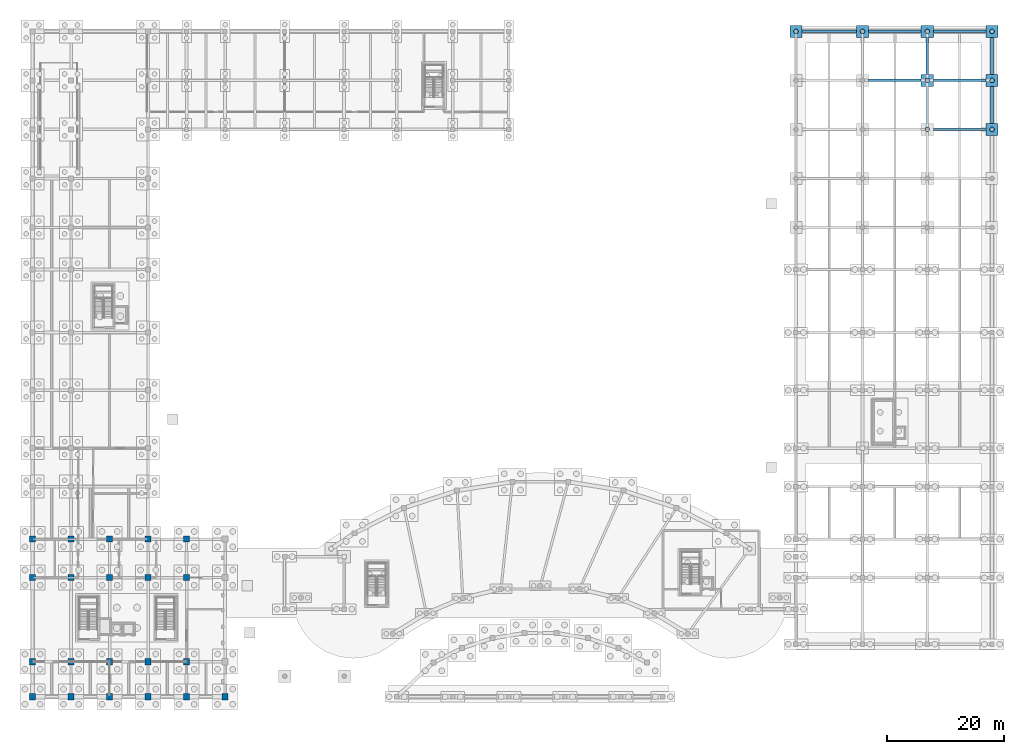
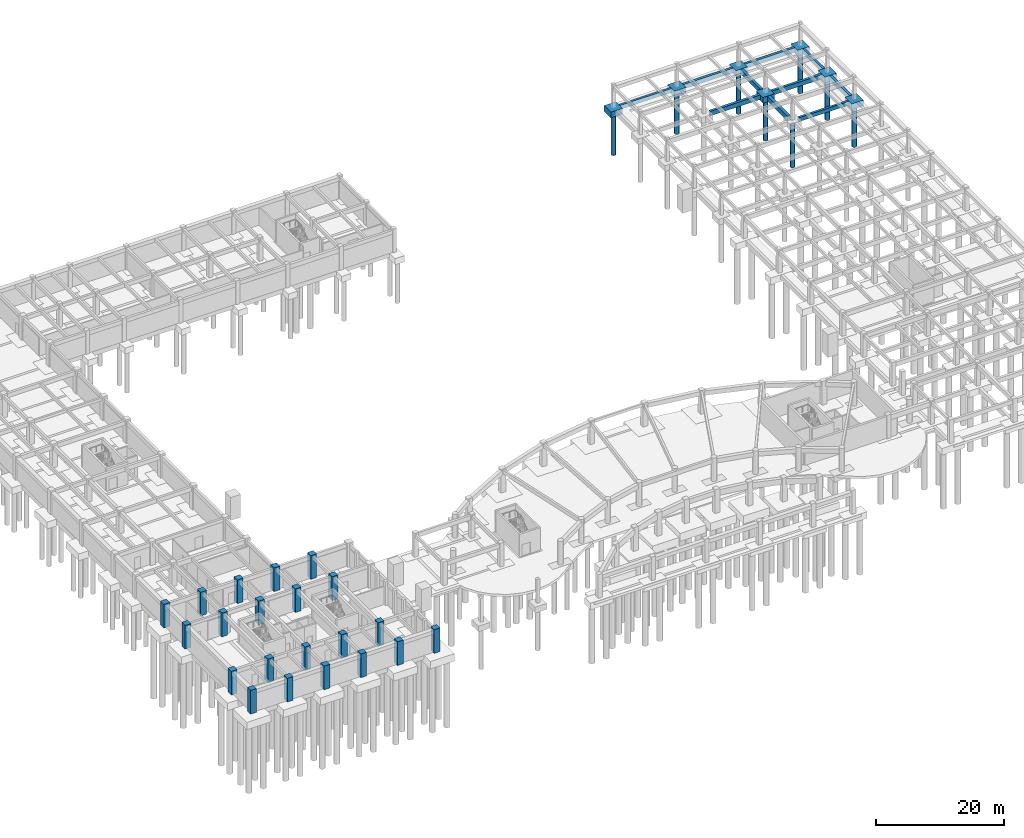
# One storey, part 7 of 28: 21 columns, 17 footings, 8 piles.
"""IFC4 building model written with IfcOpenShell, lengths in metres."""

from ifc_helpers import new_model, si_unit, direction, frame, origin, origin_2d, place, context, subcontext, project, spatial, rectangle, circle, extrude, material, layer, layer_set, material_profile, profile_set, type_object, element, save


model = new_model("IFC4")

# Units and contexts
model_context = context("Model", 3, precision=1e-05, world=origin(), true_north=direction((0.0, 1.0)))
body_context = subcontext(model_context, "Body", "Model", "MODEL_VIEW")
ifc_project = project(units=[si_unit("LENGTHUNIT", "METRE"), si_unit("AREAUNIT", "SQUARE_METRE"), si_unit("VOLUMEUNIT", "CUBIC_METRE"), si_unit("PLANEANGLEUNIT", "RADIAN"), si_unit("MASSUNIT", "GRAM", prefix="KILO")], contexts=[model_context])

# Site, building, storey
site_placement = place(None, origin())
site = spatial("IfcSite", under=ifc_project, at=site_placement, CompositionType="ELEMENT")
building_placement = place(site_placement, origin())
building = spatial("IfcBuilding", under=site, at=building_placement, Name="Miralva Faculty of Natural Sciences", CompositionType="ELEMENT")
storey_placement = place(building_placement, frame((0.0, 0.0, -4.5)))
storey = spatial("IfcBuildingStorey", under=building, at=storey_placement, Name="B1", CompositionType="ELEMENT", Elevation=-4.5)

# Footings
ifc_material_1 = material(Name="Concrete C35/45", Category="concrete")
ifc_layer = layer(ifc_material_1, 1.10009765625, Name="CAP-PC01")
ifc_layer_set = layer_set([ifc_layer], Name="Concrete C35/45")
footing_type_1 = type_object("IfcFootingType", Name="CAP-PC01", PredefinedType="PILE_CAP", material=ifc_layer_set)
for number, where, z_axis, x_axis, name in (
    (1, (133.800048828125, 117.0, -1.10009765625), (0.0, 0.0, 1.0), (1.0, 0.0, 0.0), "Pile cap CS-V2B-16N"),
    (2, (145.199951171875, 117.0, -1.10009765625), (0.0, 0.0, 1.0), (1.0, 0.0, 0.0), "Pile cap CS-V2B-17N"),
    (3, (156.300048828125, 108.60009765625, -1.10009765625), (0.0, 0.0, 1.0), (1.0, 0.0, 0.0), "Pile cap CS-V2B-18M"),
    (4, (156.300048828125, 117.0, -1.10009765625), (0.0, 0.0, 1.0), (1.0, 0.0, 0.0), "Pile cap CS-V2B-18N"),
    (5, (167.39990234375, 100.199951171875, -1.10009765625), (0.0, 0.0, 1.0), (1.0, 0.0, 0.0), "Pile cap CS-V2B-19L"),
    (6, (167.39990234375, 108.60009765625, -1.10009765625), (0.0, 0.0, 1.0), (1.0, 0.0, 0.0), "Pile cap CS-V2B-19M"),
    (7, (167.39990234375, 117.0, -1.10009765625), (0.0, 0.0, 1.0), (1.0, 0.0, 0.0), "Pile cap CS-V2B-19N"),
):
    element("IfcFooting", number, at=place(storey_placement, frame(where, z_axis=z_axis, x_axis=x_axis)), inside=storey, type_object=footing_type_1, Name=name, PredefinedType="PILE_CAP", context=body_context, shape_type="SweptSolid", body=[
        extrude(rectangle(XDim=2.10009765625, YDim=2.10009765625, at=origin_2d()), origin(), (0.0, 0.0, 1.0), 1.10009765625),
    ])

# Piles
ifc_material_profile_1 = material_profile(ifc_material_1, circle(Radius=0.39990234375, at=origin_2d()), Name="BORED PILE 800")
ifc_profile_set_1 = profile_set([ifc_material_profile_1], Name="Concrete C35/45")
pile_type = type_object("IfcPileType", Name="PILE-P800", PredefinedType="BORED", material=ifc_profile_set_1)
for number, where, z_axis, x_axis, name in (
    (8, (133.800048828125, 117.0, -0.949951171875), (0.0, 0.0, -1.0), (1.0, 0.0, 0.0), "Bored pile CS-V2B-16N-1"),
    (9, (145.199951171875, 117.0, -0.949951171875), (0.0, 0.0, -1.0), (1.0, 0.0, 0.0), "Bored pile CS-V2B-17N-1"),
    (10, (156.300048828125, 100.199951171875, -0.949951171875), (0.0, 0.0, -1.0), (1.0, 0.0, 0.0), "Bored pile CS-V2B-18L-1"),
    (11, (156.300048828125, 108.60009765625, -0.949951171875), (0.0, 0.0, -1.0), (1.0, 0.0, 0.0), "Bored pile CS-V2B-18M-1"),
    (12, (156.300048828125, 117.0, -0.949951171875), (0.0, 0.0, -1.0), (1.0, 0.0, 0.0), "Bored pile CS-V2B-18N-1"),
    (13, (167.39990234375, 100.199951171875, -0.949951171875), (0.0, 0.0, -1.0), (1.0, 0.0, 0.0), "Bored pile CS-V2B-19L-1"),
    (14, (167.39990234375, 108.60009765625, -0.949951171875), (0.0, 0.0, -1.0), (1.0, 0.0, 0.0), "Bored pile CS-V2B-19M-1"),
    (15, (167.39990234375, 117.0, -0.949951171875), (0.0, 0.0, -1.0), (1.0, 0.0, 0.0), "Bored pile CS-V2B-19N-1"),
):
    element("IfcPile", number, at=place(storey_placement, frame(where, z_axis=z_axis, x_axis=x_axis)), inside=storey, type_object=pile_type, Name=name, PredefinedType="BORED", context=body_context, shape_type="SweptSolid", body=[
        extrude(circle(Radius=0.39990234375, at=origin_2d()), origin(), (0.0, 0.0, 1.0), 8.050048828125),
    ])

# Footings
ifc_material_profile_2 = material_profile(ifc_material_1, rectangle(XDim=0.449951171875, YDim=0.85009765625, at=origin_2d()), Name="RC 450x850")
ifc_profile_set_2 = profile_set([ifc_material_profile_2], Name="Concrete C35/45")
footing_type_2 = type_object("IfcFootingType", Name="TB-01", PredefinedType="FOOTING_BEAM", material=ifc_profile_set_2)
for number, where, z_axis, x_axis, name in (
    (16, (156.300048828125, 109.64990234375, -0.425048828125), (0.0, 1.0, 0.0), (-1.0, 0.0, 0.0), "Foundation tie beam NS 100"),
    (17, (167.39990234375, 109.64990234375, -0.425048828125), (0.0, 1.0, 0.0), (-1.0, 0.0, 0.0), "Foundation tie beam NS 112"),
):
    element("IfcFooting", number, at=place(storey_placement, frame(where, z_axis=z_axis, x_axis=x_axis)), inside=storey, type_object=footing_type_2, Name=name, PredefinedType="FOOTING_BEAM", context=body_context, shape_type="SweptSolid", body=[
        extrude(rectangle(XDim=0.449951171875, YDim=0.85009765625, at=origin_2d()), origin(), (0.0, 0.0, 1.0), 6.300048828125),
    ])
for number, where, z_axis, x_axis, name in (
    (18, (146.25, 108.60009765625, -0.425048828125), (1.0, 0.0, 0.0), (0.0, 1.0, 0.0), "Foundation tie beam EW 208"),
    (19, (157.35009765625, 108.60009765625, -0.425048828125), (1.0, 0.0, 0.0), (0.0, 1.0, 0.0), "Foundation tie beam EW 209"),
    (20, (146.25, 117.0, -0.425048828125), (1.0, 0.0, 0.0), (0.0, 1.0, 0.0), "Foundation tie beam EW 220"),
    (21, (157.35009765625, 117.0, -0.425048828125), (1.0, 0.0, 0.0), (0.0, 1.0, 0.0), "Foundation tie beam EW 221"),
):
    element("IfcFooting", number, at=place(storey_placement, frame(where, z_axis=z_axis, x_axis=x_axis)), inside=storey, type_object=footing_type_2, Name=name, PredefinedType="FOOTING_BEAM", context=body_context, shape_type="SweptSolid", body=[
        extrude(rectangle(XDim=0.449951171875, YDim=0.85009765625, at=origin_2d()), origin(), (0.0, 0.0, 1.0), 9.0),
    ])
ifc_material_profile_3 = material_profile(ifc_material_1, rectangle(XDim=0.5, YDim=0.949951171875, at=origin_2d()), Name="RC 500x950")
ifc_profile_set_3 = profile_set([ifc_material_profile_3], Name="Concrete C35/45")
footing_type_3 = type_object("IfcFootingType", Name="TB-02", PredefinedType="FOOTING_BEAM", material=ifc_profile_set_3)
for number, where, z_axis, x_axis, name in (
    (22, (156.300048828125, 101.25, -0.47509765625), (0.0, 1.0, 0.0), (-1.0, 0.0, 0.0), "Foundation tie beam NS 99"),
    (23, (167.39990234375, 101.25, -0.47509765625), (0.0, 1.0, 0.0), (-1.0, 0.0, 0.0), "Foundation tie beam NS 111"),
):
    element("IfcFooting", number, at=place(storey_placement, frame(where, z_axis=z_axis, x_axis=x_axis)), inside=storey, type_object=footing_type_3, Name=name, PredefinedType="FOOTING_BEAM", context=body_context, shape_type="SweptSolid", body=[
        extrude(rectangle(XDim=0.5, YDim=0.949951171875, at=origin_2d()), origin(), (0.0, 0.0, 1.0), 6.300048828125),
    ])
ifc_material_profile_4 = material_profile(ifc_material_1, rectangle(XDim=0.39990234375, YDim=0.75, at=origin_2d()), Name="RC 400x750")
ifc_profile_set_4 = profile_set([ifc_material_profile_4], Name="Concrete C35/45")
footing_type_4 = type_object("IfcFootingType", Name="TB-04", PredefinedType="FOOTING_BEAM", material=ifc_profile_set_4)
footing_1_placement = place(storey_placement, frame((157.35009765625, 100.199951171875, -0.375), z_axis=(1.0, 0.0, 0.0), x_axis=(0.0, 1.0, 0.0)))
element("IfcFooting", 24, at=footing_1_placement, inside=storey, type_object=footing_type_4, Name="Foundation tie beam EW 198", PredefinedType="FOOTING_BEAM", context=body_context, shape_type="SweptSolid", body=[
    extrude(rectangle(XDim=0.39990234375, YDim=0.75, at=origin_2d()), origin(), (0.0, 0.0, 1.0), 9.0),
])
footing_2_placement = place(storey_placement, frame((134.85009765625, 117.0, -0.375), z_axis=(1.0, 0.0, 0.0), x_axis=(0.0, 1.0, 0.0)))
element("IfcFooting", 25, at=footing_2_placement, inside=storey, type_object=footing_type_4, Name="Foundation tie beam EW 219", PredefinedType="FOOTING_BEAM", context=body_context, shape_type="SweptSolid", body=[
    extrude(rectangle(XDim=0.39990234375, YDim=0.75, at=origin_2d()), origin(), (0.0, 0.0, 1.0), 9.2998046875),
])

# Columns
ifc_material_2 = material(Name="Concrete C50/60", Category="concrete")
ifc_material_profile_5 = material_profile(ifc_material_2, rectangle(XDim=1.050048828125, YDim=1.050048828125, at=origin_2d()), Name="RC 1050x1050")
ifc_profile_set_5 = profile_set([ifc_material_profile_5], Name="Concrete C50/60")
column_type = type_object("IfcColumnType", Name="COL-C01", PredefinedType="COLUMN", material=ifc_profile_set_5)
for number, where, z_axis, x_axis, name in (
    (26, (3.0, 3.0, 0.0), (0.0, 0.0, 1.0), (1.0, 0.0, 0.0), "Column CS-V5-1A B1"),
    (27, (3.0, 9.0, 0.0), (0.0, 0.0, 1.0), (1.0, 0.0, 0.0), "Column CS-V5-1B B1"),
    (28, (3.0, 23.39990234375, 0.0), (0.0, 0.0, 1.0), (1.0, 0.0, 0.0), "Column CS-V5-1C B1"),
    (29, (3.0, 30.0, 0.0), (0.0, 0.0, 1.0), (1.0, 0.0, 0.0), "Column CS-V5-1D B1"),
    (30, (9.60009765625, 3.0, 0.0), (0.0, 0.0, 1.0), (1.0, 0.0, 0.0), "Column CS-V5-2A B1"),
    (31, (9.60009765625, 9.0, 0.0), (0.0, 0.0, 1.0), (1.0, 0.0, 0.0), "Column CS-V5-2B B1"),
    (32, (9.60009765625, 23.39990234375, 0.0), (0.0, 0.0, 1.0), (1.0, 0.0, 0.0), "Column CS-V5-2C B1"),
    (33, (9.60009765625, 30.0, 0.0), (0.0, 0.0, 1.0), (1.0, 0.0, 0.0), "Column CS-V5-2D B1"),
    (34, (16.199951171875, 3.0, 0.0), (0.0, 0.0, 1.0), (1.0, 0.0, 0.0), "Column CS-V5-3A B1"),
    (35, (16.199951171875, 9.0, 0.0), (0.0, 0.0, 1.0), (1.0, 0.0, 0.0), "Column CS-V5-3B B1"),
    (36, (16.199951171875, 23.39990234375, 0.0), (0.0, 0.0, 1.0), (1.0, 0.0, 0.0), "Column CS-V5-3C B1"),
    (37, (16.199951171875, 30.0, 0.0), (0.0, 0.0, 1.0), (1.0, 0.0, 0.0), "Column CS-V5-3D B1"),
    (38, (22.800048828125, 3.0, 0.0), (0.0, 0.0, 1.0), (1.0, 0.0, 0.0), "Column CS-V5-4A B1"),
    (39, (22.800048828125, 9.0, 0.0), (0.0, 0.0, 1.0), (1.0, 0.0, 0.0), "Column CS-V5-4B B1"),
    (40, (22.800048828125, 23.39990234375, 0.0), (0.0, 0.0, 1.0), (1.0, 0.0, 0.0), "Column CS-V5-4C B1"),
    (41, (22.800048828125, 30.0, 0.0), (0.0, 0.0, 1.0), (1.0, 0.0, 0.0), "Column CS-V5-4D B1"),
    (42, (29.39990234375, 3.0, 0.0), (0.0, 0.0, 1.0), (1.0, 0.0, 0.0), "Column CS-V5-5A B1"),
    (43, (29.39990234375, 9.0, 0.0), (0.0, 0.0, 1.0), (1.0, 0.0, 0.0), "Column CS-V5-5B B1"),
    (44, (29.39990234375, 23.39990234375, 0.0), (0.0, 0.0, 1.0), (1.0, 0.0, 0.0), "Column CS-V5-5C B1"),
    (45, (29.39990234375, 30.0, 0.0), (0.0, 0.0, 1.0), (1.0, 0.0, 0.0), "Column CS-V5-5D B1"),
    (46, (36.0, 3.0, 0.0), (0.0, 0.0, 1.0), (1.0, 0.0, 0.0), "Column CS-V5-6A B1"),
):
    element("IfcColumn", number, at=place(storey_placement, frame(where, z_axis=z_axis, x_axis=x_axis)), inside=storey, type_object=column_type, Name=name, PredefinedType="COLUMN", context=body_context, shape_type="SweptSolid", body=[
        extrude(rectangle(XDim=1.050048828125, YDim=1.050048828125, at=origin_2d()), origin(), (0.0, 0.0, 1.0), 4.5),
    ])

save(model, "model.ifc")
